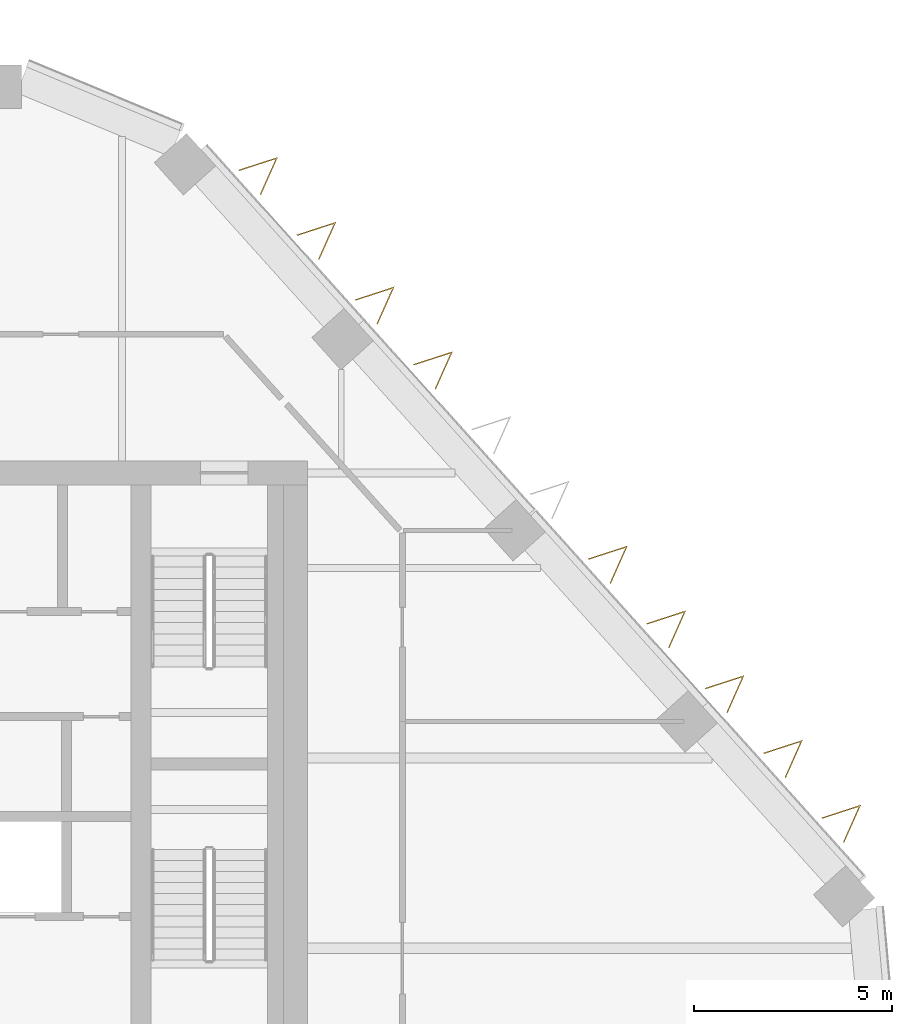
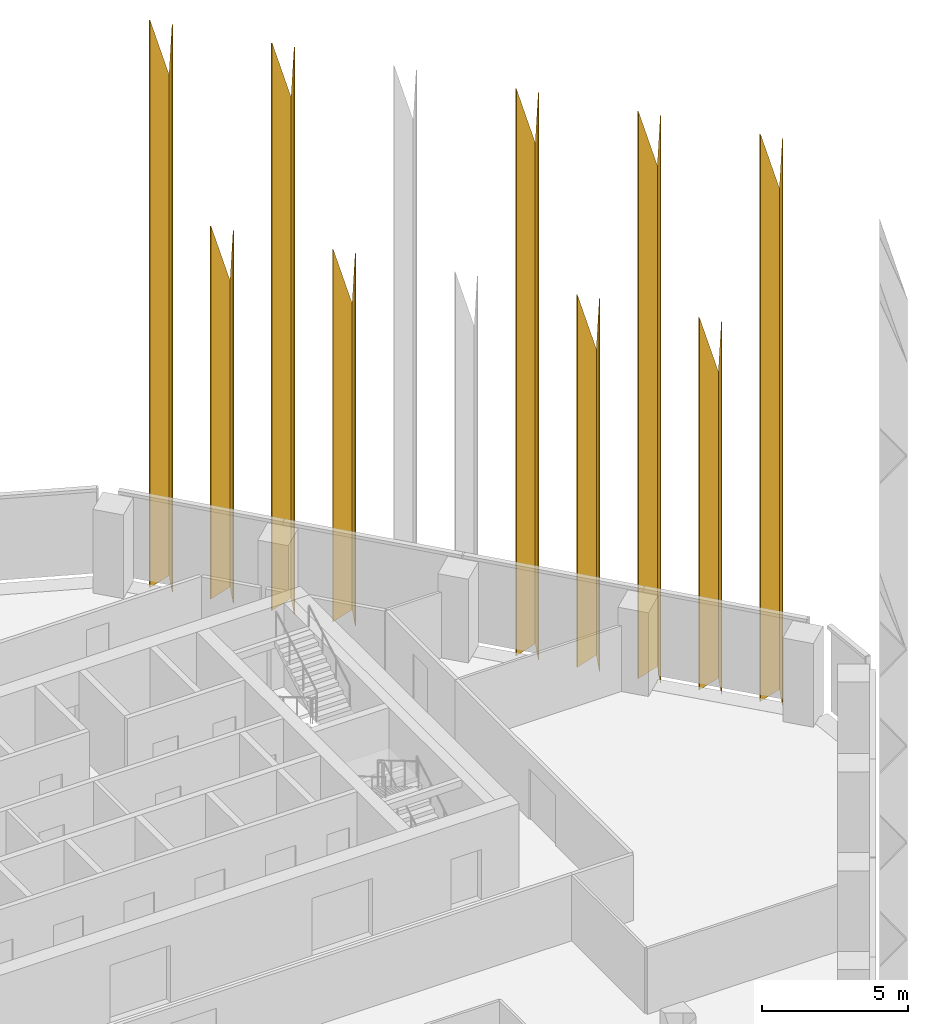
# One storey, part 18 of 18: 9 coverings.
"""IFC4 building model written with IfcOpenShell, lengths in metres."""

from ifc_helpers import new_model, si_unit, direction, frame, origin, place, context, subcontext, project, spatial, polyline, outline, faceted_brep, material, material_profile, profile_set, type_object, element, save


model = new_model("IFC4")

# Units and contexts
model_context = context("Model", 3, precision=1e-05, world=origin(), true_north=direction((0.0, 1.0)))
body_context = subcontext(model_context, "Body", "Model", "MODEL_VIEW")
ifc_project = project(units=[si_unit("LENGTHUNIT", "METRE"), si_unit("AREAUNIT", "SQUARE_METRE"), si_unit("VOLUMEUNIT", "CUBIC_METRE"), si_unit("PLANEANGLEUNIT", "RADIAN"), si_unit("MASSUNIT", "GRAM", prefix="KILO")], contexts=[model_context])

# Site, building, storey
site_placement = place(None, origin())
site = spatial("IfcSite", under=ifc_project, at=site_placement, CompositionType="ELEMENT")
building_placement = place(site_placement, origin())
building = spatial("IfcBuilding", under=site, at=building_placement, Name="Isthmus Gate Tower", CompositionType="ELEMENT")
storey_placement = place(building_placement, frame((0.0, 0.0, 238.199951171875)))
storey = spatial("IfcBuildingStorey", under=building, at=storey_placement, Name="L60", CompositionType="ELEMENT", Elevation=238.199951171875)

# Coverings
ifc_material = material(Name="Structural steel ASTM A572 Gr 50, white paint system", Category="steel")
ifc_material_profile = material_profile(ifc_material, outline(polyline([(0.0, -0.427490234375), (0.9599609375, 0.0), (0.0, 0.427490234375), (0.0, 0.39453125), (0.88623046875, 0.0), (0.0, -0.39453125), (0.0, -0.427490234375)])), Name="V960")
ifc_profile_set = profile_set([ifc_material_profile], Name="Structural steel ASTM A572 Gr 50, white paint system")
covering_type = type_object("IfcCoveringType", Name="FIN V 960 DEEP", PredefinedType="CLADDING", material=ifc_profile_set)
covering_1_placement = place(storey_placement, frame((0.0, 0.0, -238.199951171875)))
element("IfcCovering", 1, at=covering_1_placement, inside=storey, type_object=covering_type, Name="FIN", ObjectType="FIN", PredefinedType="CLADDING", context=body_context, shape_type="Brep", body=[
    faceted_brep([(28.526611328125, 5.386474609375, 237.800048828125), (28.92138671875, 6.272705078125, 237.800048828125), (27.998779296875, 5.972900390625, 237.800048828125), (27.976806640625, 5.997314453125, 237.800048828125), (28.97607421875, 6.322021484375, 237.800048828125), (28.548583984375, 5.362060546875, 237.800048828125), (28.548583984375, 5.362060546875, 261.550048828125), (28.97607421875, 6.322021484375, 258.550048828125), (27.976806640625, 5.997314453125, 261.550048828125), (27.998779296875, 5.972900390625, 261.550048828125), (28.92138671875, 6.272705078125, 258.780517578125), (28.526611328125, 5.386474609375, 261.550048828125)], [[[0, 1, 2, 3, 4, 5]], [[6, 7, 8, 9, 10, 11]], [[5, 4, 7, 6]], [[4, 3, 8, 7]], [[3, 2, 9, 8]], [[2, 1, 10, 9]], [[1, 0, 11, 10]], [[0, 5, 6, 11]]]),
])
covering_2_placement = place(storey_placement, frame((0.0, 0.0, -238.199951171875)))
element("IfcCovering", 2, at=covering_2_placement, inside=storey, type_object=covering_type, Name="FIN", ObjectType="FIN", PredefinedType="CLADDING", context=body_context, shape_type="Brep", body=[
    faceted_brep([(27.054443359375, 7.021240234375, 237.800048828125), (27.44921875, 7.907470703125, 237.800048828125), (26.526611328125, 7.607666015625, 237.800048828125), (26.504638671875, 7.632080078125, 237.800048828125), (27.50390625, 7.956787109375, 237.800048828125), (27.076416015625, 6.996826171875, 237.800048828125), (27.076416015625, 6.996826171875, 253.39990234375), (27.50390625, 7.956787109375, 250.39990234375), (26.504638671875, 7.632080078125, 253.39990234375), (26.526611328125, 7.607666015625, 253.39990234375), (27.44921875, 7.907470703125, 250.63037109375), (27.054443359375, 7.021240234375, 253.39990234375)], [[[0, 1, 2, 3, 4, 5]], [[6, 7, 8, 9, 10, 11]], [[5, 4, 7, 6]], [[4, 3, 8, 7]], [[3, 2, 9, 8]], [[2, 1, 10, 9]], [[1, 0, 11, 10]], [[0, 5, 6, 11]]]),
])
covering_3_placement = place(storey_placement, frame((0.0, 0.0, -238.199951171875)))
element("IfcCovering", 3, at=covering_3_placement, inside=storey, type_object=covering_type, Name="FIN", ObjectType="FIN", PredefinedType="CLADDING", context=body_context, shape_type="Brep", body=[
    faceted_brep([(25.58251953125, 8.65625, 237.800048828125), (25.977294921875, 9.54248046875, 237.800048828125), (25.0546875, 9.24267578125, 237.800048828125), (25.03271484375, 9.26708984375, 237.800048828125), (26.031982421875, 9.591796875, 237.800048828125), (25.6044921875, 8.6318359375, 237.800048828125), (25.6044921875, 8.6318359375, 261.550048828125), (26.031982421875, 9.591796875, 258.550048828125), (25.03271484375, 9.26708984375, 261.550048828125), (25.0546875, 9.24267578125, 261.550048828125), (25.977294921875, 9.54248046875, 258.780517578125), (25.58251953125, 8.65625, 261.550048828125)], [[[0, 1, 2, 3, 4, 5]], [[6, 7, 8, 9, 10, 11]], [[5, 4, 7, 6]], [[4, 3, 8, 7]], [[3, 2, 9, 8]], [[2, 1, 10, 9]], [[1, 0, 11, 10]], [[0, 5, 6, 11]]]),
])
covering_4_placement = place(storey_placement, frame((0.0, 0.0, -238.199951171875)))
element("IfcCovering", 4, at=covering_4_placement, inside=storey, type_object=covering_type, Name="FIN", ObjectType="FIN", PredefinedType="CLADDING", context=body_context, shape_type="Brep", body=[
    faceted_brep([(24.1103515625, 10.291259765625, 237.800048828125), (24.505126953125, 11.177490234375, 237.800048828125), (23.58251953125, 10.877685546875, 237.800048828125), (23.560546875, 10.902099609375, 237.800048828125), (24.559814453125, 11.226806640625, 237.800048828125), (24.13232421875, 10.266845703125, 237.800048828125), (24.13232421875, 10.266845703125, 253.39990234375), (24.559814453125, 11.226806640625, 250.39990234375), (23.560546875, 10.902099609375, 253.39990234375), (23.58251953125, 10.877685546875, 253.39990234375), (24.505126953125, 11.177490234375, 250.63037109375), (24.1103515625, 10.291259765625, 253.39990234375)], [[[0, 1, 2, 3, 4, 5]], [[6, 7, 8, 9, 10, 11]], [[5, 4, 7, 6]], [[4, 3, 8, 7]], [[3, 2, 9, 8]], [[2, 1, 10, 9]], [[1, 0, 11, 10]], [[0, 5, 6, 11]]]),
])
covering_5_placement = place(storey_placement, frame((0.0, 0.0, -238.199951171875)))
element("IfcCovering", 5, at=covering_5_placement, inside=storey, type_object=covering_type, Name="FIN", ObjectType="FIN", PredefinedType="CLADDING", context=body_context, shape_type="Brep", body=[
    faceted_brep([(22.63818359375, 11.926025390625, 237.800048828125), (23.032958984375, 12.812255859375, 237.800048828125), (22.1103515625, 12.512451171875, 237.800048828125), (22.08837890625, 12.536865234375, 237.800048828125), (23.087646484375, 12.861572265625, 237.800048828125), (22.66015625, 11.901611328125, 237.800048828125), (22.66015625, 11.901611328125, 261.550048828125), (23.087646484375, 12.861572265625, 258.550048828125), (22.08837890625, 12.536865234375, 261.550048828125), (22.1103515625, 12.512451171875, 261.550048828125), (23.032958984375, 12.812255859375, 258.780517578125), (22.63818359375, 11.926025390625, 261.550048828125)], [[[0, 1, 2, 3, 4, 5]], [[6, 7, 8, 9, 10, 11]], [[5, 4, 7, 6]], [[4, 3, 8, 7]], [[3, 2, 9, 8]], [[2, 1, 10, 9]], [[1, 0, 11, 10]], [[0, 5, 6, 11]]]),
])
covering_6_placement = place(storey_placement, frame((0.0, 0.0, -238.199951171875)))
element("IfcCovering", 6, at=covering_6_placement, inside=storey, type_object=covering_type, Name="FIN", ObjectType="FIN", PredefinedType="CLADDING", context=body_context, shape_type="Brep", body=[
    faceted_brep([(18.221923828125, 16.830810546875, 237.800048828125), (18.61669921875, 17.717041015625, 237.800048828125), (17.694091796875, 17.417236328125, 237.800048828125), (17.672119140625, 17.441650390625, 237.800048828125), (18.67138671875, 17.766357421875, 237.800048828125), (18.243896484375, 16.806396484375, 237.800048828125), (18.243896484375, 16.806396484375, 253.39990234375), (18.67138671875, 17.766357421875, 250.39990234375), (17.672119140625, 17.441650390625, 253.39990234375), (17.694091796875, 17.417236328125, 253.39990234375), (18.61669921875, 17.717041015625, 250.63037109375), (18.221923828125, 16.830810546875, 253.39990234375)], [[[0, 1, 2, 3, 4, 5]], [[6, 7, 8, 9, 10, 11]], [[5, 4, 7, 6]], [[4, 3, 8, 7]], [[3, 2, 9, 8]], [[2, 1, 10, 9]], [[1, 0, 11, 10]], [[0, 5, 6, 11]]]),
])
covering_7_placement = place(storey_placement, frame((0.0, 0.0, -238.199951171875)))
element("IfcCovering", 7, at=covering_7_placement, inside=storey, type_object=covering_type, Name="FIN", ObjectType="FIN", PredefinedType="CLADDING", context=body_context, shape_type="Brep", body=[
    faceted_brep([(16.75, 18.4658203125, 237.800048828125), (17.144775390625, 19.35205078125, 237.800048828125), (16.22216796875, 19.05224609375, 237.800048828125), (16.2001953125, 19.07666015625, 237.800048828125), (17.199462890625, 19.4013671875, 237.800048828125), (16.77197265625, 18.44140625, 237.800048828125), (16.77197265625, 18.44140625, 261.550048828125), (17.199462890625, 19.4013671875, 258.550048828125), (16.2001953125, 19.07666015625, 261.550048828125), (16.22216796875, 19.05224609375, 261.550048828125), (17.144775390625, 19.35205078125, 258.780517578125), (16.75, 18.4658203125, 261.550048828125)], [[[0, 1, 2, 3, 4, 5]], [[6, 7, 8, 9, 10, 11]], [[5, 4, 7, 6]], [[4, 3, 8, 7]], [[3, 2, 9, 8]], [[2, 1, 10, 9]], [[1, 0, 11, 10]], [[0, 5, 6, 11]]]),
])
covering_8_placement = place(storey_placement, frame((0.0, 0.0, -238.199951171875)))
element("IfcCovering", 8, at=covering_8_placement, inside=storey, type_object=covering_type, Name="FIN", ObjectType="FIN", PredefinedType="CLADDING", context=body_context, shape_type="Brep", body=[
    faceted_brep([(15.27783203125, 20.1005859375, 237.800048828125), (15.672607421875, 20.98681640625, 237.800048828125), (14.75, 20.68701171875, 237.800048828125), (14.72802734375, 20.71142578125, 237.800048828125), (15.727294921875, 21.0361328125, 237.800048828125), (15.2998046875, 20.076171875, 237.800048828125), (15.2998046875, 20.076171875, 253.39990234375), (15.727294921875, 21.0361328125, 250.39990234375), (14.72802734375, 20.71142578125, 253.39990234375), (14.75, 20.68701171875, 253.39990234375), (15.672607421875, 20.98681640625, 250.63037109375), (15.27783203125, 20.1005859375, 253.39990234375)], [[[0, 1, 2, 3, 4, 5]], [[6, 7, 8, 9, 10, 11]], [[5, 4, 7, 6]], [[4, 3, 8, 7]], [[3, 2, 9, 8]], [[2, 1, 10, 9]], [[1, 0, 11, 10]], [[0, 5, 6, 11]]]),
])
covering_9_placement = place(storey_placement, frame((0.0, 0.0, -238.199951171875)))
element("IfcCovering", 9, at=covering_9_placement, inside=storey, type_object=covering_type, Name="FIN", ObjectType="FIN", PredefinedType="CLADDING", context=body_context, shape_type="Brep", body=[
    faceted_brep([(13.8056640625, 21.735595703125, 237.800048828125), (14.200439453125, 22.621826171875, 237.800048828125), (13.27783203125, 22.322021484375, 237.800048828125), (13.255859375, 22.346435546875, 237.800048828125), (14.255126953125, 22.671142578125, 237.800048828125), (13.82763671875, 21.711181640625, 237.800048828125), (13.82763671875, 21.711181640625, 261.550048828125), (14.255126953125, 22.671142578125, 258.550048828125), (13.255859375, 22.346435546875, 261.550048828125), (13.27783203125, 22.322021484375, 261.550048828125), (14.200439453125, 22.621826171875, 258.780517578125), (13.8056640625, 21.735595703125, 261.550048828125)], [[[0, 1, 2, 3, 4, 5]], [[6, 7, 8, 9, 10, 11]], [[5, 4, 7, 6]], [[4, 3, 8, 7]], [[3, 2, 9, 8]], [[2, 1, 10, 9]], [[1, 0, 11, 10]], [[0, 5, 6, 11]]]),
])

save(model, "model.ifc")
